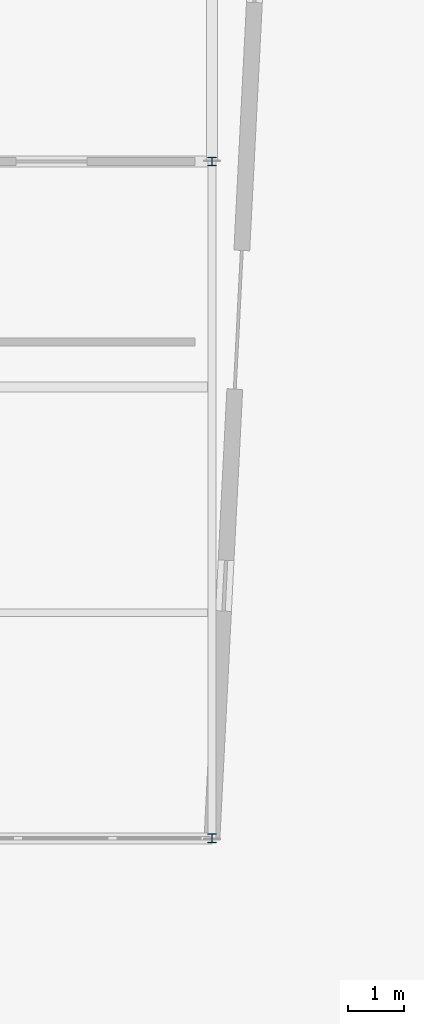
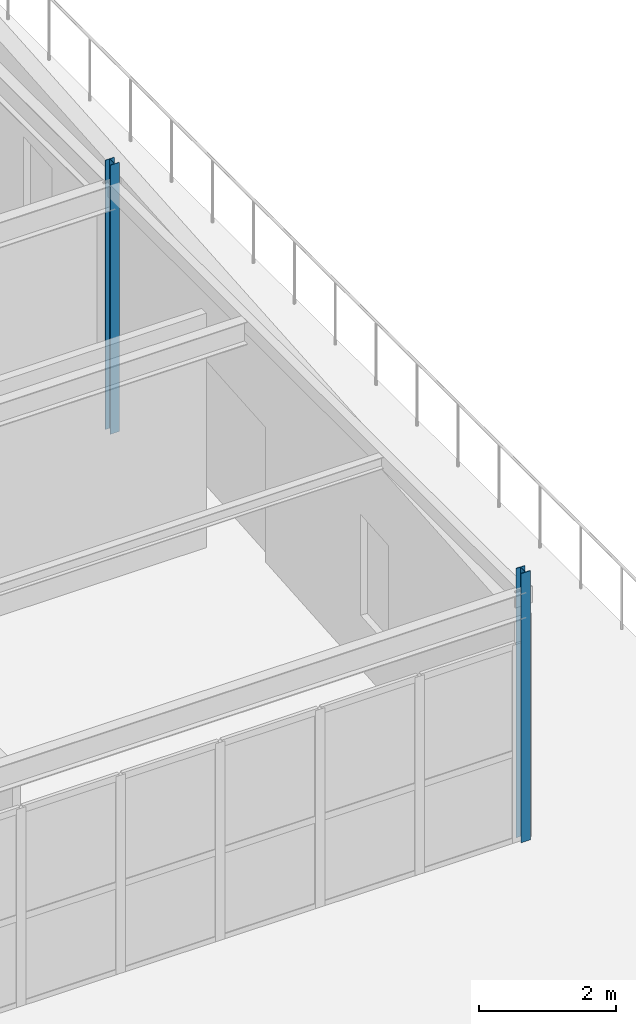
# One storey, part 59 of 199: 2 columns.
"""IFC4 building model written with IfcOpenShell, lengths in metres."""

from ifc_helpers import new_model, si_unit, direction, frame, origin, origin_2d, place, context, subcontext, project, spatial, i_section, extrude, material, material_profile, profile_set, type_object, element, save


model = new_model("IFC4")

# Units and contexts
model_context = context("Model", 3, precision=1e-05, world=origin(), true_north=direction((0.0, 1.0)))
body_context = subcontext(model_context, "Body", "Model", "MODEL_VIEW")
ifc_project = project(units=[si_unit("LENGTHUNIT", "METRE"), si_unit("AREAUNIT", "SQUARE_METRE"), si_unit("VOLUMEUNIT", "CUBIC_METRE"), si_unit("PLANEANGLEUNIT", "RADIAN"), si_unit("MASSUNIT", "GRAM", prefix="KILO")], contexts=[model_context])

# Site, building, storey
site_placement = place(None, origin())
site = spatial("IfcSite", under=ifc_project, at=site_placement, CompositionType="ELEMENT")
building_placement = place(site_placement, origin())
building = spatial("IfcBuilding", under=site, at=building_placement, Name="Tarnwether General Hospital", CompositionType="ELEMENT")
storey_placement = place(building_placement, origin())
storey = spatial("IfcBuildingStorey", under=building, at=storey_placement, Name="L00", CompositionType="ELEMENT", Elevation=0.0)

# Columns
ifc_material_1 = material(Name="Steel Grade 350 (350 MPa)", Category="steel")
ifc_material_profile_1 = material_profile(ifc_material_1, i_section(OverallWidth=0.153076171875, OverallDepth=0.157958984375, WebThickness=0.006591796875, FlangeThickness=0.009521484375, at=origin_2d()), Name="150UC30.0")
ifc_profile_set_1 = profile_set([ifc_material_profile_1], Name="Steel Grade 350 (350 MPa)")
column_type_1 = type_object("IfcColumnType", Name="COL-31", PredefinedType="COLUMN", material=ifc_profile_set_1)
column_1_placement = place(storey_placement, frame((192.0, 81.60009765625, 0.0), z_axis=(0.0, 0.0, 1.0), x_axis=(1.0, 0.0, 0.0)))
element("IfcColumn", 1, at=column_1_placement, inside=storey, type_object=column_type_1, Name="Column COLG-L00-19200_8160", PredefinedType="COLUMN", context=body_context, shape_type="SweptSolid", body=[
    extrude(i_section(OverallWidth=0.153076171875, OverallDepth=0.157958984375, WebThickness=0.006591796875, FlangeThickness=0.009521484375, at=origin_2d()), origin(), (0.0, 0.0, 1.0), 4.800048828125),
])
ifc_material_2 = material(Name="Steel Grade 350 (350 MPa)", Category="steel")
ifc_material_profile_2 = material_profile(ifc_material_2, i_section(OverallWidth=0.152099609375, OverallDepth=0.152099609375, WebThickness=0.006103515625, FlangeThickness=0.0068359375, at=origin_2d()), Name="150UC23.4")
ifc_profile_set_2 = profile_set([ifc_material_profile_2], Name="Steel Grade 350 (350 MPa)")
column_type_2 = type_object("IfcColumnType", Name="COL-32", PredefinedType="COLUMN", material=ifc_profile_set_2)
column_2_placement = place(storey_placement, frame((192.0, 93.60009765625, 0.0), z_axis=(0.0, 0.0, 1.0), x_axis=(1.0, 0.0, 0.0)))
element("IfcColumn", 2, at=column_2_placement, inside=storey, type_object=column_type_2, Name="Column COLG-L00-19200_9360", PredefinedType="COLUMN", context=body_context, shape_type="SweptSolid", body=[
    extrude(i_section(OverallWidth=0.152099609375, OverallDepth=0.152099609375, WebThickness=0.006103515625, FlangeThickness=0.0068359375, at=origin_2d()), origin(), (0.0, 0.0, 1.0), 4.800048828125),
])

save(model, "model.ifc")
